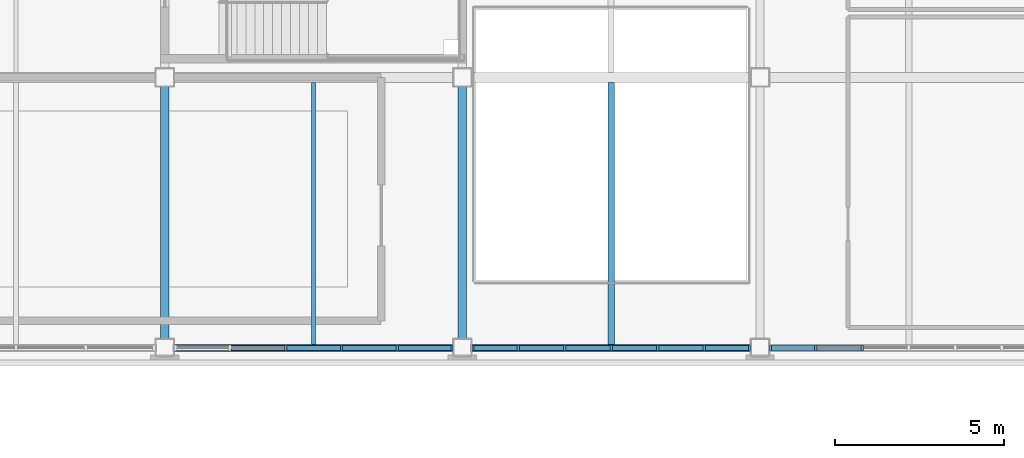
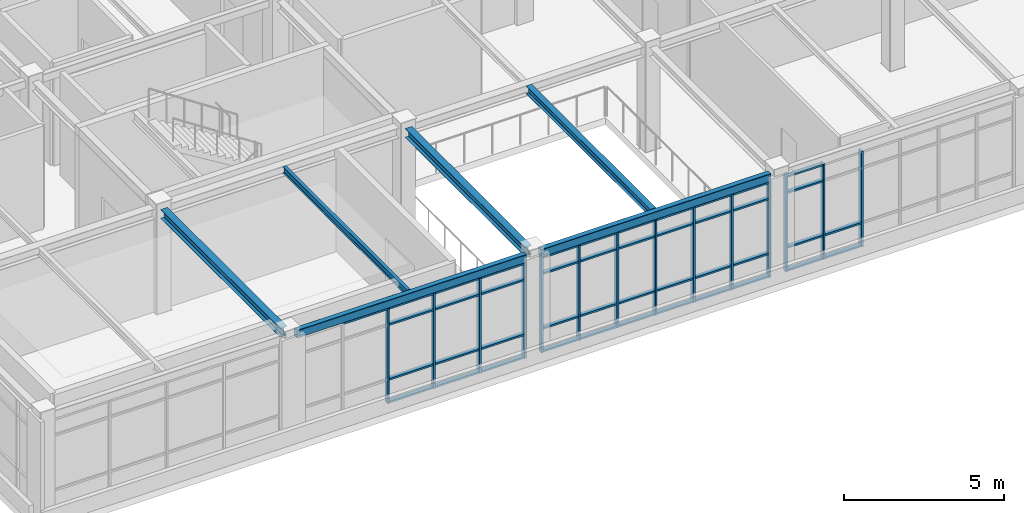
# One storey, part 14 of 88: 57 members, 6 beams, 3 elements without a shape of their own.
"""IFC4 building model written with IfcOpenShell, lengths in metres."""

from ifc_helpers import new_model, si_unit, direction, frame, origin, origin_2d, place, context, subcontext, project, spatial, rectangle, hollow_rectangle, i_section, extrude, material, material_profile, profile_set, type_object, element, aggregate, save


model = new_model("IFC4")

# Units and contexts
model_context = context("Model", 3, precision=1e-05, world=origin(), true_north=direction((0.0, 1.0)))
body_context = subcontext(model_context, "Body", "Model", "MODEL_VIEW")
ifc_project = project(units=[si_unit("LENGTHUNIT", "METRE"), si_unit("AREAUNIT", "SQUARE_METRE"), si_unit("VOLUMEUNIT", "CUBIC_METRE"), si_unit("PLANEANGLEUNIT", "RADIAN"), si_unit("MASSUNIT", "GRAM", prefix="KILO")], contexts=[model_context])

# Site, building, storey
site_placement = place(None, origin())
site = spatial("IfcSite", under=ifc_project, at=site_placement, CompositionType="ELEMENT")
building_placement = place(site_placement, origin())
building = spatial("IfcBuilding", under=site, at=building_placement, Name="Zhaolan Boulevard Law Courts", CompositionType="ELEMENT")
storey_placement = place(building_placement, frame((0.0, 0.0, 16.199951171875)))
storey = spatial("IfcBuildingStorey", under=building, at=storey_placement, Name="L03", CompositionType="ELEMENT", Elevation=16.199951171875)

# Curtain wall, members
ifc_material_1 = material(Name="Thermally broken aluminium and low-E glazing", Category="aluminium")
curtain_wall_type_1 = type_object("IfcCurtainWallType", Name="CURTAIN WALL M1", PredefinedType="USERDEFINED", material=ifc_material_1)
curtain_wall_1_placement = place(storey_placement, origin())
curtain_wall_1 = element("IfcCurtainWall", 1, at=curtain_wall_1_placement, inside=storey, type_object=curtain_wall_type_1, Name="Curtain Wall CW-L03-169", ObjectType="CURTAIN WALL", PredefinedType="USERDEFINED")
ifc_material_2 = material(Name="Fluorocarbon-coated aluminium 6063-T6", Category="aluminium")
ifc_material_profile_1 = material_profile(ifc_material_2, rectangle(XDim=0.179931640625, YDim=0.06494140625, at=origin_2d()), Name="AL65x180")
ifc_profile_set_1 = profile_set([ifc_material_profile_1], Name="Fluorocarbon-coated aluminium 6063-T6")
member_type_1 = type_object("IfcMemberType", Name="CWMULLION 65X180", PredefinedType="MULLION", material=ifc_profile_set_1)
member_1_placement = place(storey_placement, frame((12.37548828125, 30.0, 0.0), z_axis=(0.0, 0.0, 1.0), x_axis=(0.0, 1.0, 0.0)))
member_1 = element("IfcMember", 2, at=member_1_placement, type_object=member_type_1, Name="CW-L03-169 mullion 3", PredefinedType="MULLION", context=body_context, shape_type="SweptSolid", body=[
    extrude(rectangle(XDim=0.179931640625, YDim=0.06494140625, at=origin_2d()), origin(), (0.0, 0.0, 1.0), 3.633056640625),
])
member_2_placement = place(storey_placement, frame((14.024658203125, 30.0, 0.0), z_axis=(0.0, 0.0, 1.0), x_axis=(0.0, 1.0, 0.0)))
member_2 = element("IfcMember", 3, at=member_2_placement, type_object=member_type_1, Name="CW-L03-169 mullion 4", PredefinedType="MULLION", context=body_context, shape_type="SweptSolid", body=[
    extrude(rectangle(XDim=0.179931640625, YDim=0.06494140625, at=origin_2d()), origin(), (0.0, 0.0, 1.0), 3.633056640625),
])
member_3_placement = place(storey_placement, frame((15.673828125, 30.0, 0.0), z_axis=(0.0, 0.0, 1.0), x_axis=(0.0, 1.0, 0.0)))
member_3 = element("IfcMember", 4, at=member_3_placement, type_object=member_type_1, Name="CW-L03-169 mullion 5", PredefinedType="MULLION", context=body_context, shape_type="SweptSolid", body=[
    extrude(rectangle(XDim=0.179931640625, YDim=0.06494140625, at=origin_2d()), origin(), (0.0, 0.0, 1.0), 3.633056640625),
])
member_4_placement = place(storey_placement, frame((17.29052734375, 30.0, 0.0), z_axis=(0.0, 0.0, 1.0), x_axis=(0.0, 1.0, 0.0)))
member_4 = element("IfcMember", 5, at=member_4_placement, type_object=member_type_1, Name="CW-L03-169 mullion 6", PredefinedType="MULLION", context=body_context, shape_type="SweptSolid", body=[
    extrude(rectangle(XDim=0.179931640625, YDim=0.06494140625, at=origin_2d()), origin(), (0.0, 0.0, 1.0), 3.633056640625),
])

ifc_material_3 = material(Name="Thermally broken aluminium and low-E glazing", Category="aluminium")
curtain_wall_type_2 = type_object("IfcCurtainWallType", Name="CURTAIN WALL M2", PredefinedType="USERDEFINED", material=ifc_material_3)
curtain_wall_2_placement = place(storey_placement, origin())
curtain_wall_2 = element("IfcCurtainWall", 6, at=curtain_wall_2_placement, inside=storey, type_object=curtain_wall_type_2, Name="Curtain Wall CW-L03-170", ObjectType="CURTAIN WALL", PredefinedType="USERDEFINED")
member_5_placement = place(storey_placement, frame((17.909423828125, 30.0, 0.0), z_axis=(0.0, 0.0, 1.0), x_axis=(0.0, 1.0, 0.0)))
member_5 = element("IfcMember", 7, at=member_5_placement, type_object=member_type_1, Name="CW-L03-170 mullion 1", PredefinedType="MULLION", context=body_context, shape_type="SweptSolid", body=[
    extrude(rectangle(XDim=0.179931640625, YDim=0.06494140625, at=origin_2d()), origin(), (0.0, 0.0, 1.0), 3.633056640625),
])
member_6_placement = place(storey_placement, frame((19.251220703125, 30.0, 0.0), z_axis=(0.0, 0.0, 1.0), x_axis=(0.0, 1.0, 0.0)))
member_6 = element("IfcMember", 8, at=member_6_placement, type_object=member_type_1, Name="CW-L03-170 mullion 2", PredefinedType="MULLION", context=body_context, shape_type="SweptSolid", body=[
    extrude(rectangle(XDim=0.179931640625, YDim=0.06494140625, at=origin_2d()), origin(), (0.0, 0.0, 1.0), 3.633056640625),
])
member_7_placement = place(storey_placement, frame((20.625732421875, 30.0, 0.0), z_axis=(0.0, 0.0, 1.0), x_axis=(0.0, 1.0, 0.0)))
member_7 = element("IfcMember", 9, at=member_7_placement, type_object=member_type_1, Name="CW-L03-170 mullion 3", PredefinedType="MULLION", context=body_context, shape_type="SweptSolid", body=[
    extrude(rectangle(XDim=0.179931640625, YDim=0.06494140625, at=origin_2d()), origin(), (0.0, 0.0, 1.0), 3.633056640625),
])
member_8_placement = place(storey_placement, frame((22.0, 30.0, 0.0), z_axis=(0.0, 0.0, 1.0), x_axis=(0.0, 1.0, 0.0)))
member_8 = element("IfcMember", 10, at=member_8_placement, type_object=member_type_1, Name="CW-L03-170 mullion 4", PredefinedType="MULLION", context=body_context, shape_type="SweptSolid", body=[
    extrude(rectangle(XDim=0.179931640625, YDim=0.06494140625, at=origin_2d()), origin(), (0.0, 0.0, 1.0), 3.633056640625),
])
member_9_placement = place(storey_placement, frame((23.374267578125, 30.0, 0.0), z_axis=(0.0, 0.0, 1.0), x_axis=(0.0, 1.0, 0.0)))
member_9 = element("IfcMember", 11, at=member_9_placement, type_object=member_type_1, Name="CW-L03-170 mullion 5", PredefinedType="MULLION", context=body_context, shape_type="SweptSolid", body=[
    extrude(rectangle(XDim=0.179931640625, YDim=0.06494140625, at=origin_2d()), origin(), (0.0, 0.0, 1.0), 3.633056640625),
])
member_10_placement = place(storey_placement, frame((24.748779296875, 30.0, 0.0), z_axis=(0.0, 0.0, 1.0), x_axis=(0.0, 1.0, 0.0)))
member_10 = element("IfcMember", 12, at=member_10_placement, type_object=member_type_1, Name="CW-L03-170 mullion 6", PredefinedType="MULLION", context=body_context, shape_type="SweptSolid", body=[
    extrude(rectangle(XDim=0.179931640625, YDim=0.06494140625, at=origin_2d()), origin(), (0.0, 0.0, 1.0), 3.633056640625),
])
member_11_placement = place(storey_placement, frame((26.090576171875, 30.0, 0.0), z_axis=(0.0, 0.0, 1.0), x_axis=(0.0, 1.0, 0.0)))
member_11 = element("IfcMember", 13, at=member_11_placement, type_object=member_type_1, Name="CW-L03-170 mullion 7", PredefinedType="MULLION", context=body_context, shape_type="SweptSolid", body=[
    extrude(rectangle(XDim=0.179931640625, YDim=0.06494140625, at=origin_2d()), origin(), (0.0, 0.0, 1.0), 3.633056640625),
])

ifc_material_4 = material(Name="Thermally broken aluminium and low-E glazing", Category="aluminium")
curtain_wall_type_3 = type_object("IfcCurtainWallType", Name="CURTAIN WALL M3", PredefinedType="USERDEFINED", material=ifc_material_4)
curtain_wall_3_placement = place(storey_placement, origin())
curtain_wall_3 = element("IfcCurtainWall", 14, at=curtain_wall_3_placement, inside=storey, type_object=curtain_wall_type_3, Name="Curtain Wall CW-L03-171", ObjectType="CURTAIN WALL", PredefinedType="USERDEFINED")
member_12_placement = place(storey_placement, frame((26.70947265625, 30.0, 0.0), z_axis=(0.0, 0.0, 1.0), x_axis=(0.0, 1.0, 0.0)))
member_12 = element("IfcMember", 15, at=member_12_placement, type_object=member_type_1, Name="CW-L03-171 mullion 1", PredefinedType="MULLION", context=body_context, shape_type="SweptSolid", body=[
    extrude(rectangle(XDim=0.179931640625, YDim=0.06494140625, at=origin_2d()), origin(), (0.0, 0.0, 1.0), 3.633056640625),
])
member_13_placement = place(storey_placement, frame((28.05126953125, 30.0, 0.0), z_axis=(0.0, 0.0, 1.0), x_axis=(0.0, 1.0, 0.0)))
member_13 = element("IfcMember", 16, at=member_13_placement, type_object=member_type_1, Name="CW-L03-171 mullion 2", PredefinedType="MULLION", context=body_context, shape_type="SweptSolid", body=[
    extrude(rectangle(XDim=0.179931640625, YDim=0.06494140625, at=origin_2d()), origin(), (0.0, 0.0, 1.0), 3.633056640625),
])
member_14_placement = place(storey_placement, frame((29.42578125, 30.0, 0.0), z_axis=(0.0, 0.0, 1.0), x_axis=(0.0, 1.0, 0.0)))
member_14 = element("IfcMember", 17, at=member_14_placement, type_object=member_type_1, Name="CW-L03-171 mullion 3", PredefinedType="MULLION", context=body_context, shape_type="SweptSolid", body=[
    extrude(rectangle(XDim=0.179931640625, YDim=0.06494140625, at=origin_2d()), origin(), (0.0, 0.0, 1.0), 3.633056640625),
])

# Member
ifc_material_5 = material(Name="Fluorocarbon-coated aluminium 6063-T6", Category="aluminium")
ifc_material_profile_2 = material_profile(ifc_material_5, rectangle(XDim=0.139892578125, YDim=0.06494140625, at=origin_2d()), Name="AL65x140")
ifc_profile_set_2 = profile_set([ifc_material_profile_2], Name="Fluorocarbon-coated aluminium 6063-T6")
member_type_2 = type_object("IfcMemberType", Name="CWTRANSOM 65X140", PredefinedType="USERDEFINED", material=ifc_profile_set_2)
member_15_placement = place(storey_placement, frame((10.7587890625, 30.0, 3.6005859375), z_axis=(1.0, 0.0, 0.0), x_axis=(0.0, 1.0, 0.0)))
member_15 = element("IfcMember", 18, at=member_15_placement, type_object=member_type_2, Name="CW-L03-169 transom 2.4", ObjectType="TRANSOM", PredefinedType="USERDEFINED", context=body_context, shape_type="SweptSolid", body=[
    extrude(rectangle(XDim=0.139892578125, YDim=0.06494140625, at=origin_2d()), origin(), (0.0, 0.0, 1.0), 1.584228515625),
])

member_16_placement = place(storey_placement, frame((12.407958984375, 30.0, 0.032470703125), z_axis=(1.0, 0.0, 0.0), x_axis=(0.0, 1.0, 0.0)))
member_16 = element("IfcMember", 19, at=member_16_placement, type_object=member_type_2, Name="CW-L03-169 transom 3.1", ObjectType="TRANSOM", PredefinedType="USERDEFINED", context=body_context, shape_type="SweptSolid", body=[
    extrude(rectangle(XDim=0.139892578125, YDim=0.06494140625, at=origin_2d()), origin(), (0.0, 0.0, 1.0), 1.584228515625),
])

member_17_placement = place(storey_placement, frame((12.407958984375, 30.0, 0.900146484375), z_axis=(1.0, 0.0, 0.0), x_axis=(0.0, 1.0, 0.0)))
member_17 = element("IfcMember", 20, at=member_17_placement, type_object=member_type_2, Name="CW-L03-169 transom 3.2", ObjectType="TRANSOM", PredefinedType="USERDEFINED", context=body_context, shape_type="SweptSolid", body=[
    extrude(rectangle(XDim=0.139892578125, YDim=0.06494140625, at=origin_2d()), origin(), (0.0, 0.0, 1.0), 1.584228515625),
])

member_18_placement = place(storey_placement, frame((12.407958984375, 30.0, 2.983154296875), z_axis=(1.0, 0.0, 0.0), x_axis=(0.0, 1.0, 0.0)))
member_18 = element("IfcMember", 21, at=member_18_placement, type_object=member_type_2, Name="CW-L03-169 transom 3.3", ObjectType="TRANSOM", PredefinedType="USERDEFINED", context=body_context, shape_type="SweptSolid", body=[
    extrude(rectangle(XDim=0.139892578125, YDim=0.06494140625, at=origin_2d()), origin(), (0.0, 0.0, 1.0), 1.584228515625),
])

member_19_placement = place(storey_placement, frame((12.407958984375, 30.0, 3.6005859375), z_axis=(1.0, 0.0, 0.0), x_axis=(0.0, 1.0, 0.0)))
member_19 = element("IfcMember", 22, at=member_19_placement, type_object=member_type_2, Name="CW-L03-169 transom 3.4", ObjectType="TRANSOM", PredefinedType="USERDEFINED", context=body_context, shape_type="SweptSolid", body=[
    extrude(rectangle(XDim=0.139892578125, YDim=0.06494140625, at=origin_2d()), origin(), (0.0, 0.0, 1.0), 1.584228515625),
])

member_20_placement = place(storey_placement, frame((14.05712890625, 30.0, 0.032470703125), z_axis=(1.0, 0.0, 0.0), x_axis=(0.0, 1.0, 0.0)))
member_20 = element("IfcMember", 23, at=member_20_placement, type_object=member_type_2, Name="CW-L03-169 transom 4.1", ObjectType="TRANSOM", PredefinedType="USERDEFINED", context=body_context, shape_type="SweptSolid", body=[
    extrude(rectangle(XDim=0.139892578125, YDim=0.06494140625, at=origin_2d()), origin(), (0.0, 0.0, 1.0), 1.584228515625),
])

member_21_placement = place(storey_placement, frame((14.05712890625, 30.0, 0.900146484375), z_axis=(1.0, 0.0, 0.0), x_axis=(0.0, 1.0, 0.0)))
member_21 = element("IfcMember", 24, at=member_21_placement, type_object=member_type_2, Name="CW-L03-169 transom 4.2", ObjectType="TRANSOM", PredefinedType="USERDEFINED", context=body_context, shape_type="SweptSolid", body=[
    extrude(rectangle(XDim=0.139892578125, YDim=0.06494140625, at=origin_2d()), origin(), (0.0, 0.0, 1.0), 1.584228515625),
])

member_22_placement = place(storey_placement, frame((14.05712890625, 30.0, 2.983154296875), z_axis=(1.0, 0.0, 0.0), x_axis=(0.0, 1.0, 0.0)))
member_22 = element("IfcMember", 25, at=member_22_placement, type_object=member_type_2, Name="CW-L03-169 transom 4.3", ObjectType="TRANSOM", PredefinedType="USERDEFINED", context=body_context, shape_type="SweptSolid", body=[
    extrude(rectangle(XDim=0.139892578125, YDim=0.06494140625, at=origin_2d()), origin(), (0.0, 0.0, 1.0), 1.584228515625),
])

member_23_placement = place(storey_placement, frame((14.05712890625, 30.0, 3.6005859375), z_axis=(1.0, 0.0, 0.0), x_axis=(0.0, 1.0, 0.0)))
member_23 = element("IfcMember", 26, at=member_23_placement, type_object=member_type_2, Name="CW-L03-169 transom 4.4", ObjectType="TRANSOM", PredefinedType="USERDEFINED", context=body_context, shape_type="SweptSolid", body=[
    extrude(rectangle(XDim=0.139892578125, YDim=0.06494140625, at=origin_2d()), origin(), (0.0, 0.0, 1.0), 1.584228515625),
])

member_24_placement = place(storey_placement, frame((15.706298828125, 30.0, 0.032470703125), z_axis=(1.0, 0.0, 0.0), x_axis=(0.0, 1.0, 0.0)))
member_24 = element("IfcMember", 27, at=member_24_placement, type_object=member_type_2, Name="CW-L03-169 transom 5.1", ObjectType="TRANSOM", PredefinedType="USERDEFINED", context=body_context, shape_type="SweptSolid", body=[
    extrude(rectangle(XDim=0.139892578125, YDim=0.06494140625, at=origin_2d()), origin(), (0.0, 0.0, 1.0), 1.5517578125),
])

member_25_placement = place(storey_placement, frame((15.706298828125, 30.0, 0.900146484375), z_axis=(1.0, 0.0, 0.0), x_axis=(0.0, 1.0, 0.0)))
member_25 = element("IfcMember", 28, at=member_25_placement, type_object=member_type_2, Name="CW-L03-169 transom 5.2", ObjectType="TRANSOM", PredefinedType="USERDEFINED", context=body_context, shape_type="SweptSolid", body=[
    extrude(rectangle(XDim=0.139892578125, YDim=0.06494140625, at=origin_2d()), origin(), (0.0, 0.0, 1.0), 1.5517578125),
])

member_26_placement = place(storey_placement, frame((15.706298828125, 30.0, 2.983154296875), z_axis=(1.0, 0.0, 0.0), x_axis=(0.0, 1.0, 0.0)))
member_26 = element("IfcMember", 29, at=member_26_placement, type_object=member_type_2, Name="CW-L03-169 transom 5.3", ObjectType="TRANSOM", PredefinedType="USERDEFINED", context=body_context, shape_type="SweptSolid", body=[
    extrude(rectangle(XDim=0.139892578125, YDim=0.06494140625, at=origin_2d()), origin(), (0.0, 0.0, 1.0), 1.5517578125),
])

member_27_placement = place(storey_placement, frame((15.706298828125, 30.0, 3.6005859375), z_axis=(1.0, 0.0, 0.0), x_axis=(0.0, 1.0, 0.0)))
member_27 = element("IfcMember", 30, at=member_27_placement, type_object=member_type_2, Name="CW-L03-169 transom 5.4", ObjectType="TRANSOM", PredefinedType="USERDEFINED", context=body_context, shape_type="SweptSolid", body=[
    extrude(rectangle(XDim=0.139892578125, YDim=0.06494140625, at=origin_2d()), origin(), (0.0, 0.0, 1.0), 1.5517578125),
])

aggregate(curtain_wall_1, [member_1, member_2, member_3, member_4, member_15, member_16, member_17, member_18, member_19, member_20, member_21, member_22, member_23, member_24, member_25, member_26, member_27])

member_28_placement = place(storey_placement, frame((17.94189453125, 30.0, 0.032470703125), z_axis=(1.0, 0.0, 0.0), x_axis=(0.0, 1.0, 0.0)))
member_28 = element("IfcMember", 31, at=member_28_placement, type_object=member_type_2, Name="CW-L03-170 transom 1.1", ObjectType="TRANSOM", PredefinedType="USERDEFINED", context=body_context, shape_type="SweptSolid", body=[
    extrude(rectangle(XDim=0.139892578125, YDim=0.06494140625, at=origin_2d()), origin(), (0.0, 0.0, 1.0), 1.27685546875),
])

member_29_placement = place(storey_placement, frame((17.94189453125, 30.0, 0.900146484375), z_axis=(1.0, 0.0, 0.0), x_axis=(0.0, 1.0, 0.0)))
member_29 = element("IfcMember", 32, at=member_29_placement, type_object=member_type_2, Name="CW-L03-170 transom 1.2", ObjectType="TRANSOM", PredefinedType="USERDEFINED", context=body_context, shape_type="SweptSolid", body=[
    extrude(rectangle(XDim=0.139892578125, YDim=0.06494140625, at=origin_2d()), origin(), (0.0, 0.0, 1.0), 1.27685546875),
])

member_30_placement = place(storey_placement, frame((17.94189453125, 30.0, 2.983154296875), z_axis=(1.0, 0.0, 0.0), x_axis=(0.0, 1.0, 0.0)))
member_30 = element("IfcMember", 33, at=member_30_placement, type_object=member_type_2, Name="CW-L03-170 transom 1.3", ObjectType="TRANSOM", PredefinedType="USERDEFINED", context=body_context, shape_type="SweptSolid", body=[
    extrude(rectangle(XDim=0.139892578125, YDim=0.06494140625, at=origin_2d()), origin(), (0.0, 0.0, 1.0), 1.27685546875),
])

member_31_placement = place(storey_placement, frame((17.94189453125, 30.0, 3.6005859375), z_axis=(1.0, 0.0, 0.0), x_axis=(0.0, 1.0, 0.0)))
member_31 = element("IfcMember", 34, at=member_31_placement, type_object=member_type_2, Name="CW-L03-170 transom 1.4", ObjectType="TRANSOM", PredefinedType="USERDEFINED", context=body_context, shape_type="SweptSolid", body=[
    extrude(rectangle(XDim=0.139892578125, YDim=0.06494140625, at=origin_2d()), origin(), (0.0, 0.0, 1.0), 1.27685546875),
])

member_32_placement = place(storey_placement, frame((19.283935546875, 30.0, 0.032470703125), z_axis=(1.0, 0.0, 0.0), x_axis=(0.0, 1.0, 0.0)))
member_32 = element("IfcMember", 35, at=member_32_placement, type_object=member_type_2, Name="CW-L03-170 transom 2.1", ObjectType="TRANSOM", PredefinedType="USERDEFINED", context=body_context, shape_type="SweptSolid", body=[
    extrude(rectangle(XDim=0.139892578125, YDim=0.06494140625, at=origin_2d()), origin(), (0.0, 0.0, 1.0), 1.309326171875),
])

member_33_placement = place(storey_placement, frame((19.283935546875, 30.0, 0.900146484375), z_axis=(1.0, 0.0, 0.0), x_axis=(0.0, 1.0, 0.0)))
member_33 = element("IfcMember", 36, at=member_33_placement, type_object=member_type_2, Name="CW-L03-170 transom 2.2", ObjectType="TRANSOM", PredefinedType="USERDEFINED", context=body_context, shape_type="SweptSolid", body=[
    extrude(rectangle(XDim=0.139892578125, YDim=0.06494140625, at=origin_2d()), origin(), (0.0, 0.0, 1.0), 1.309326171875),
])

member_34_placement = place(storey_placement, frame((19.283935546875, 30.0, 2.983154296875), z_axis=(1.0, 0.0, 0.0), x_axis=(0.0, 1.0, 0.0)))
member_34 = element("IfcMember", 37, at=member_34_placement, type_object=member_type_2, Name="CW-L03-170 transom 2.3", ObjectType="TRANSOM", PredefinedType="USERDEFINED", context=body_context, shape_type="SweptSolid", body=[
    extrude(rectangle(XDim=0.139892578125, YDim=0.06494140625, at=origin_2d()), origin(), (0.0, 0.0, 1.0), 1.309326171875),
])

member_35_placement = place(storey_placement, frame((19.283935546875, 30.0, 3.6005859375), z_axis=(1.0, 0.0, 0.0), x_axis=(0.0, 1.0, 0.0)))
member_35 = element("IfcMember", 38, at=member_35_placement, type_object=member_type_2, Name="CW-L03-170 transom 2.4", ObjectType="TRANSOM", PredefinedType="USERDEFINED", context=body_context, shape_type="SweptSolid", body=[
    extrude(rectangle(XDim=0.139892578125, YDim=0.06494140625, at=origin_2d()), origin(), (0.0, 0.0, 1.0), 1.309326171875),
])

member_36_placement = place(storey_placement, frame((20.658203125, 30.0, 0.032470703125), z_axis=(1.0, 0.0, 0.0), x_axis=(0.0, 1.0, 0.0)))
member_36 = element("IfcMember", 39, at=member_36_placement, type_object=member_type_2, Name="CW-L03-170 transom 3.1", ObjectType="TRANSOM", PredefinedType="USERDEFINED", context=body_context, shape_type="SweptSolid", body=[
    extrude(rectangle(XDim=0.139892578125, YDim=0.06494140625, at=origin_2d()), origin(), (0.0, 0.0, 1.0), 1.309326171875),
])

member_37_placement = place(storey_placement, frame((20.658203125, 30.0, 0.900146484375), z_axis=(1.0, 0.0, 0.0), x_axis=(0.0, 1.0, 0.0)))
member_37 = element("IfcMember", 40, at=member_37_placement, type_object=member_type_2, Name="CW-L03-170 transom 3.2", ObjectType="TRANSOM", PredefinedType="USERDEFINED", context=body_context, shape_type="SweptSolid", body=[
    extrude(rectangle(XDim=0.139892578125, YDim=0.06494140625, at=origin_2d()), origin(), (0.0, 0.0, 1.0), 1.309326171875),
])

member_38_placement = place(storey_placement, frame((20.658203125, 30.0, 2.983154296875), z_axis=(1.0, 0.0, 0.0), x_axis=(0.0, 1.0, 0.0)))
member_38 = element("IfcMember", 41, at=member_38_placement, type_object=member_type_2, Name="CW-L03-170 transom 3.3", ObjectType="TRANSOM", PredefinedType="USERDEFINED", context=body_context, shape_type="SweptSolid", body=[
    extrude(rectangle(XDim=0.139892578125, YDim=0.06494140625, at=origin_2d()), origin(), (0.0, 0.0, 1.0), 1.309326171875),
])

member_39_placement = place(storey_placement, frame((20.658203125, 30.0, 3.6005859375), z_axis=(1.0, 0.0, 0.0), x_axis=(0.0, 1.0, 0.0)))
member_39 = element("IfcMember", 42, at=member_39_placement, type_object=member_type_2, Name="CW-L03-170 transom 3.4", ObjectType="TRANSOM", PredefinedType="USERDEFINED", context=body_context, shape_type="SweptSolid", body=[
    extrude(rectangle(XDim=0.139892578125, YDim=0.06494140625, at=origin_2d()), origin(), (0.0, 0.0, 1.0), 1.309326171875),
])

member_40_placement = place(storey_placement, frame((22.032470703125, 30.0, 0.032470703125), z_axis=(1.0, 0.0, 0.0), x_axis=(0.0, 1.0, 0.0)))
member_40 = element("IfcMember", 43, at=member_40_placement, type_object=member_type_2, Name="CW-L03-170 transom 4.1", ObjectType="TRANSOM", PredefinedType="USERDEFINED", context=body_context, shape_type="SweptSolid", body=[
    extrude(rectangle(XDim=0.139892578125, YDim=0.06494140625, at=origin_2d()), origin(), (0.0, 0.0, 1.0), 1.309326171875),
])

member_41_placement = place(storey_placement, frame((22.032470703125, 30.0, 0.900146484375), z_axis=(1.0, 0.0, 0.0), x_axis=(0.0, 1.0, 0.0)))
member_41 = element("IfcMember", 44, at=member_41_placement, type_object=member_type_2, Name="CW-L03-170 transom 4.2", ObjectType="TRANSOM", PredefinedType="USERDEFINED", context=body_context, shape_type="SweptSolid", body=[
    extrude(rectangle(XDim=0.139892578125, YDim=0.06494140625, at=origin_2d()), origin(), (0.0, 0.0, 1.0), 1.309326171875),
])

member_42_placement = place(storey_placement, frame((22.032470703125, 30.0, 2.983154296875), z_axis=(1.0, 0.0, 0.0), x_axis=(0.0, 1.0, 0.0)))
member_42 = element("IfcMember", 45, at=member_42_placement, type_object=member_type_2, Name="CW-L03-170 transom 4.3", ObjectType="TRANSOM", PredefinedType="USERDEFINED", context=body_context, shape_type="SweptSolid", body=[
    extrude(rectangle(XDim=0.139892578125, YDim=0.06494140625, at=origin_2d()), origin(), (0.0, 0.0, 1.0), 1.309326171875),
])

member_43_placement = place(storey_placement, frame((22.032470703125, 30.0, 3.6005859375), z_axis=(1.0, 0.0, 0.0), x_axis=(0.0, 1.0, 0.0)))
member_43 = element("IfcMember", 46, at=member_43_placement, type_object=member_type_2, Name="CW-L03-170 transom 4.4", ObjectType="TRANSOM", PredefinedType="USERDEFINED", context=body_context, shape_type="SweptSolid", body=[
    extrude(rectangle(XDim=0.139892578125, YDim=0.06494140625, at=origin_2d()), origin(), (0.0, 0.0, 1.0), 1.309326171875),
])

member_44_placement = place(storey_placement, frame((23.40673828125, 30.0, 0.032470703125), z_axis=(1.0, 0.0, 0.0), x_axis=(0.0, 1.0, 0.0)))
member_44 = element("IfcMember", 47, at=member_44_placement, type_object=member_type_2, Name="CW-L03-170 transom 5.1", ObjectType="TRANSOM", PredefinedType="USERDEFINED", context=body_context, shape_type="SweptSolid", body=[
    extrude(rectangle(XDim=0.139892578125, YDim=0.06494140625, at=origin_2d()), origin(), (0.0, 0.0, 1.0), 1.309326171875),
])

member_45_placement = place(storey_placement, frame((23.40673828125, 30.0, 0.900146484375), z_axis=(1.0, 0.0, 0.0), x_axis=(0.0, 1.0, 0.0)))
member_45 = element("IfcMember", 48, at=member_45_placement, type_object=member_type_2, Name="CW-L03-170 transom 5.2", ObjectType="TRANSOM", PredefinedType="USERDEFINED", context=body_context, shape_type="SweptSolid", body=[
    extrude(rectangle(XDim=0.139892578125, YDim=0.06494140625, at=origin_2d()), origin(), (0.0, 0.0, 1.0), 1.309326171875),
])

member_46_placement = place(storey_placement, frame((23.40673828125, 30.0, 2.983154296875), z_axis=(1.0, 0.0, 0.0), x_axis=(0.0, 1.0, 0.0)))
member_46 = element("IfcMember", 49, at=member_46_placement, type_object=member_type_2, Name="CW-L03-170 transom 5.3", ObjectType="TRANSOM", PredefinedType="USERDEFINED", context=body_context, shape_type="SweptSolid", body=[
    extrude(rectangle(XDim=0.139892578125, YDim=0.06494140625, at=origin_2d()), origin(), (0.0, 0.0, 1.0), 1.309326171875),
])

member_47_placement = place(storey_placement, frame((23.40673828125, 30.0, 3.6005859375), z_axis=(1.0, 0.0, 0.0), x_axis=(0.0, 1.0, 0.0)))
member_47 = element("IfcMember", 50, at=member_47_placement, type_object=member_type_2, Name="CW-L03-170 transom 5.4", ObjectType="TRANSOM", PredefinedType="USERDEFINED", context=body_context, shape_type="SweptSolid", body=[
    extrude(rectangle(XDim=0.139892578125, YDim=0.06494140625, at=origin_2d()), origin(), (0.0, 0.0, 1.0), 1.309326171875),
])

member_48_placement = place(storey_placement, frame((24.78125, 30.0, 0.032470703125), z_axis=(1.0, 0.0, 0.0), x_axis=(0.0, 1.0, 0.0)))
member_48 = element("IfcMember", 51, at=member_48_placement, type_object=member_type_2, Name="CW-L03-170 transom 6.1", ObjectType="TRANSOM", PredefinedType="USERDEFINED", context=body_context, shape_type="SweptSolid", body=[
    extrude(rectangle(XDim=0.139892578125, YDim=0.06494140625, at=origin_2d()), origin(), (0.0, 0.0, 1.0), 1.27685546875),
])

member_49_placement = place(storey_placement, frame((24.78125, 30.0, 0.900146484375), z_axis=(1.0, 0.0, 0.0), x_axis=(0.0, 1.0, 0.0)))
member_49 = element("IfcMember", 52, at=member_49_placement, type_object=member_type_2, Name="CW-L03-170 transom 6.2", ObjectType="TRANSOM", PredefinedType="USERDEFINED", context=body_context, shape_type="SweptSolid", body=[
    extrude(rectangle(XDim=0.139892578125, YDim=0.06494140625, at=origin_2d()), origin(), (0.0, 0.0, 1.0), 1.27685546875),
])

member_50_placement = place(storey_placement, frame((24.78125, 30.0, 2.983154296875), z_axis=(1.0, 0.0, 0.0), x_axis=(0.0, 1.0, 0.0)))
member_50 = element("IfcMember", 53, at=member_50_placement, type_object=member_type_2, Name="CW-L03-170 transom 6.3", ObjectType="TRANSOM", PredefinedType="USERDEFINED", context=body_context, shape_type="SweptSolid", body=[
    extrude(rectangle(XDim=0.139892578125, YDim=0.06494140625, at=origin_2d()), origin(), (0.0, 0.0, 1.0), 1.27685546875),
])

member_51_placement = place(storey_placement, frame((24.78125, 30.0, 3.6005859375), z_axis=(1.0, 0.0, 0.0), x_axis=(0.0, 1.0, 0.0)))
member_51 = element("IfcMember", 54, at=member_51_placement, type_object=member_type_2, Name="CW-L03-170 transom 6.4", ObjectType="TRANSOM", PredefinedType="USERDEFINED", context=body_context, shape_type="SweptSolid", body=[
    extrude(rectangle(XDim=0.139892578125, YDim=0.06494140625, at=origin_2d()), origin(), (0.0, 0.0, 1.0), 1.27685546875),
])

aggregate(curtain_wall_2, [member_5, member_6, member_7, member_8, member_9, member_10, member_11, member_28, member_29, member_30, member_31, member_32, member_33, member_34, member_35, member_36, member_37, member_38, member_39, member_40, member_41, member_42, member_43, member_44, member_45, member_46, member_47, member_48, member_49, member_50, member_51])

member_52_placement = place(storey_placement, frame((26.741943359375, 30.0, 0.032470703125), z_axis=(1.0, 0.0, 0.0), x_axis=(0.0, 1.0, 0.0)))
member_52 = element("IfcMember", 55, at=member_52_placement, type_object=member_type_2, Name="CW-L03-171 transom 1.1", ObjectType="TRANSOM", PredefinedType="USERDEFINED", context=body_context, shape_type="SweptSolid", body=[
    extrude(rectangle(XDim=0.139892578125, YDim=0.06494140625, at=origin_2d()), origin(), (0.0, 0.0, 1.0), 1.27685546875),
])

member_53_placement = place(storey_placement, frame((26.741943359375, 30.0, 0.900146484375), z_axis=(1.0, 0.0, 0.0), x_axis=(0.0, 1.0, 0.0)))
member_53 = element("IfcMember", 56, at=member_53_placement, type_object=member_type_2, Name="CW-L03-171 transom 1.2", ObjectType="TRANSOM", PredefinedType="USERDEFINED", context=body_context, shape_type="SweptSolid", body=[
    extrude(rectangle(XDim=0.139892578125, YDim=0.06494140625, at=origin_2d()), origin(), (0.0, 0.0, 1.0), 1.27685546875),
])

member_54_placement = place(storey_placement, frame((26.741943359375, 30.0, 2.983154296875), z_axis=(1.0, 0.0, 0.0), x_axis=(0.0, 1.0, 0.0)))
member_54 = element("IfcMember", 57, at=member_54_placement, type_object=member_type_2, Name="CW-L03-171 transom 1.3", ObjectType="TRANSOM", PredefinedType="USERDEFINED", context=body_context, shape_type="SweptSolid", body=[
    extrude(rectangle(XDim=0.139892578125, YDim=0.06494140625, at=origin_2d()), origin(), (0.0, 0.0, 1.0), 1.27685546875),
])

member_55_placement = place(storey_placement, frame((26.741943359375, 30.0, 3.6005859375), z_axis=(1.0, 0.0, 0.0), x_axis=(0.0, 1.0, 0.0)))
member_55 = element("IfcMember", 58, at=member_55_placement, type_object=member_type_2, Name="CW-L03-171 transom 1.4", ObjectType="TRANSOM", PredefinedType="USERDEFINED", context=body_context, shape_type="SweptSolid", body=[
    extrude(rectangle(XDim=0.139892578125, YDim=0.06494140625, at=origin_2d()), origin(), (0.0, 0.0, 1.0), 1.27685546875),
])

member_56_placement = place(storey_placement, frame((28.083740234375, 30.0, 0.032470703125), z_axis=(1.0, 0.0, 0.0), x_axis=(0.0, 1.0, 0.0)))
member_56 = element("IfcMember", 59, at=member_56_placement, type_object=member_type_2, Name="CW-L03-171 transom 2.1", ObjectType="TRANSOM", PredefinedType="USERDEFINED", context=body_context, shape_type="SweptSolid", body=[
    extrude(rectangle(XDim=0.139892578125, YDim=0.06494140625, at=origin_2d()), origin(), (0.0, 0.0, 1.0), 1.309326171875),
])

member_57_placement = place(storey_placement, frame((28.083740234375, 30.0, 0.900146484375), z_axis=(1.0, 0.0, 0.0), x_axis=(0.0, 1.0, 0.0)))
member_57 = element("IfcMember", 60, at=member_57_placement, type_object=member_type_2, Name="CW-L03-171 transom 2.2", ObjectType="TRANSOM", PredefinedType="USERDEFINED", context=body_context, shape_type="SweptSolid", body=[
    extrude(rectangle(XDim=0.139892578125, YDim=0.06494140625, at=origin_2d()), origin(), (0.0, 0.0, 1.0), 1.309326171875),
])

aggregate(curtain_wall_3, [member_12, member_13, member_14, member_52, member_53, member_54, member_55, member_56, member_57])

# Beams
ifc_material_6 = material(Name="Structural steel Q355B", Category="steel")
ifc_material_profile_3 = material_profile(ifc_material_6, i_section(OverallWidth=0.25, OverallDepth=0.340087890625, WebThickness=0.009033203125, FlangeThickness=0.013916015625, FilletRadius=0.01611328125, at=origin_2d()), Name="HM340x250")
ifc_profile_set_3 = profile_set([ifc_material_profile_3], Name="Structural steel Q355B")
beam_type_1 = type_object("IfcBeamType", Name="GIRDER HM340", PredefinedType="BEAM", material=ifc_profile_set_3)
for number, where, z_axis, x_axis, name in (
    (61, (8.800048828125, 30.27099609375, 3.778076171875), (0.0, 1.0, 0.0), (-1.0, 0.0, 0.0), "Beam BY-L04-2-E-F"),
    (62, (17.60009765625, 30.27099609375, 3.778076171875), (0.0, 1.0, 0.0), (-1.0, 0.0, 0.0), "Beam BY-L04-3-E-F"),
):
    element("IfcBeam", number, at=place(storey_placement, frame(where, z_axis=z_axis, x_axis=x_axis)), inside=storey, type_object=beam_type_1, Name=name, PredefinedType="BEAM", context=body_context, shape_type="SweptSolid", body=[
        extrude(i_section(OverallWidth=0.25, OverallDepth=0.340087890625, WebThickness=0.009033203125, FlangeThickness=0.013916015625, FilletRadius=0.01611328125, at=origin_2d()), origin(), (0.0, 0.0, 1.0), 7.4580078125),
    ])
ifc_material_7 = material(Name="Structural steel Q355B", Category="steel")
ifc_material_profile_4 = material_profile(ifc_material_7, i_section(OverallWidth=0.199951171875, OverallDepth=0.2939453125, WebThickness=0.008056640625, FlangeThickness=0.011962890625, FilletRadius=0.01611328125, at=origin_2d()), Name="HM294x200")
ifc_profile_set_4 = profile_set([ifc_material_profile_4], Name="Structural steel Q355B")
beam_type_2 = type_object("IfcBeamType", Name="JOIST HM294", PredefinedType="JOIST", material=ifc_profile_set_4)
beam_1_placement = place(storey_placement, frame((22.0, 30.095947265625, 3.801025390625), z_axis=(0.0, 1.0, 0.0), x_axis=(-1.0, 0.0, 0.0)))
element("IfcBeam", 63, at=beam_1_placement, inside=storey, type_object=beam_type_2, Name="Composite Joist J-L04-3E", PredefinedType="JOIST", context=body_context, shape_type="SweptSolid", body=[
    extrude(i_section(OverallWidth=0.199951171875, OverallDepth=0.2939453125, WebThickness=0.008056640625, FlangeThickness=0.011962890625, FilletRadius=0.01611328125, at=origin_2d()), origin(), (0.0, 0.0, 1.0), 7.758056640625),
])
ifc_material_8 = material(Name="Structural steel Q355B", Category="steel")
ifc_material_profile_5 = material_profile(ifc_material_8, i_section(OverallWidth=0.125, OverallDepth=0.25, WebThickness=0.006103515625, FlangeThickness=0.009033203125, FilletRadius=0.010009765625, at=origin_2d()), Name="HN250x125")
ifc_profile_set_5 = profile_set([ifc_material_profile_5], Name="Structural steel Q355B")
beam_type_3 = type_object("IfcBeamType", Name="JOIST HN250", PredefinedType="JOIST", material=ifc_profile_set_5)
beam_2_placement = place(storey_placement, frame((13.199951171875, 30.095947265625, 3.822998046875), z_axis=(0.0, 1.0, 0.0), x_axis=(-1.0, 0.0, 0.0)))
element("IfcBeam", 64, at=beam_2_placement, inside=storey, type_object=beam_type_3, Name="Composite Joist J-L04-2E", PredefinedType="JOIST", context=body_context, shape_type="SweptSolid", body=[
    extrude(i_section(OverallWidth=0.125, OverallDepth=0.25, WebThickness=0.006103515625, FlangeThickness=0.009033203125, FilletRadius=0.010009765625, at=origin_2d()), origin(), (0.0, 0.0, 1.0), 7.758056640625),
])
ifc_material_9 = material(Name="Structural steel Q355B", Category="steel")
ifc_material_profile_6 = material_profile(ifc_material_9, hollow_rectangle(XDim=0.199951171875, YDim=0.300048828125, WallThickness=0.011962890625, InnerFilletRadius=0.011962890625, OuterFilletRadius=0.02392578125, at=origin_2d()), Name="HSS300x200x12")
ifc_profile_set_6 = profile_set([ifc_material_profile_6], Name="Structural steel Q355B")
beam_type_4 = type_object("IfcBeamType", Name="SPANDREL HSS300", PredefinedType="SPANDREL", material=ifc_profile_set_6)
beam_3_placement = place(storey_placement, frame((9.071044921875, 30.0, 3.798095703125), z_axis=(1.0, 0.0, 0.0), x_axis=(0.0, 1.0, 0.0)))
element("IfcBeam", 65, at=beam_3_placement, inside=storey, type_object=beam_type_4, Name="Beam BX-L04-2-3-E", PredefinedType="SPANDREL", context=body_context, shape_type="SweptSolid", body=[
    extrude(hollow_rectangle(XDim=0.199951171875, YDim=0.300048828125, WallThickness=0.011962890625, InnerFilletRadius=0.011962890625, OuterFilletRadius=0.02392578125, at=origin_2d()), origin(), (0.0, 0.0, 1.0), 8.258056640625),
])
beam_4_placement = place(storey_placement, frame((17.87109375, 30.0, 3.798095703125), z_axis=(1.0, 0.0, 0.0), x_axis=(0.0, 1.0, 0.0)))
element("IfcBeam", 66, at=beam_4_placement, inside=storey, type_object=beam_type_4, Name="Beam BX-L04-3-4-E", PredefinedType="SPANDREL", context=body_context, shape_type="SweptSolid", body=[
    extrude(hollow_rectangle(XDim=0.199951171875, YDim=0.300048828125, WallThickness=0.011962890625, InnerFilletRadius=0.011962890625, OuterFilletRadius=0.02392578125, at=origin_2d()), origin(), (0.0, 0.0, 1.0), 8.2578125),
])

save(model, "model.ifc")
